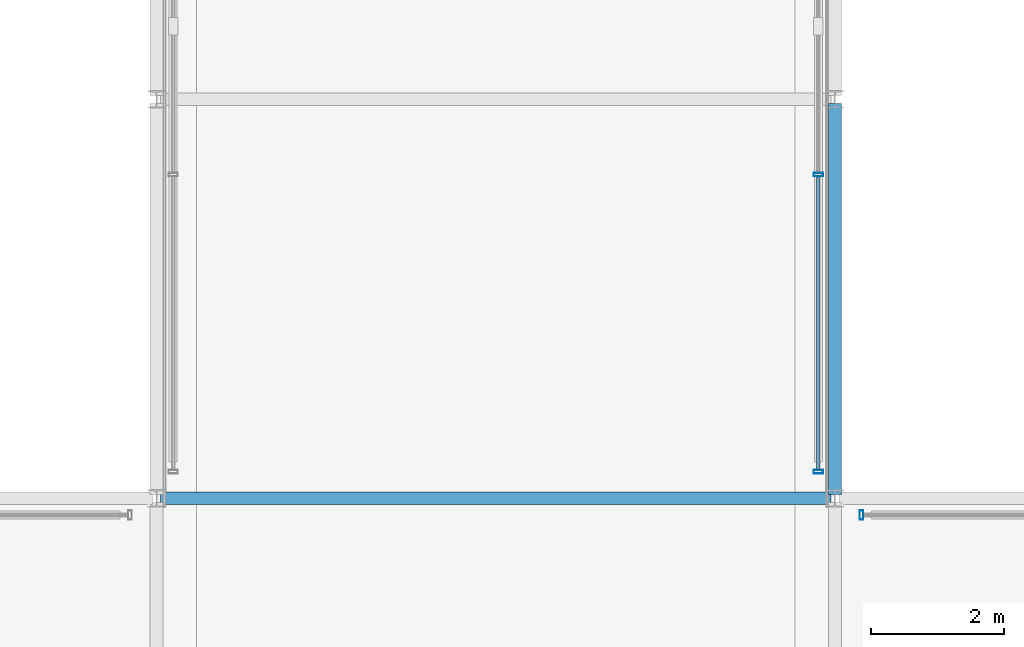
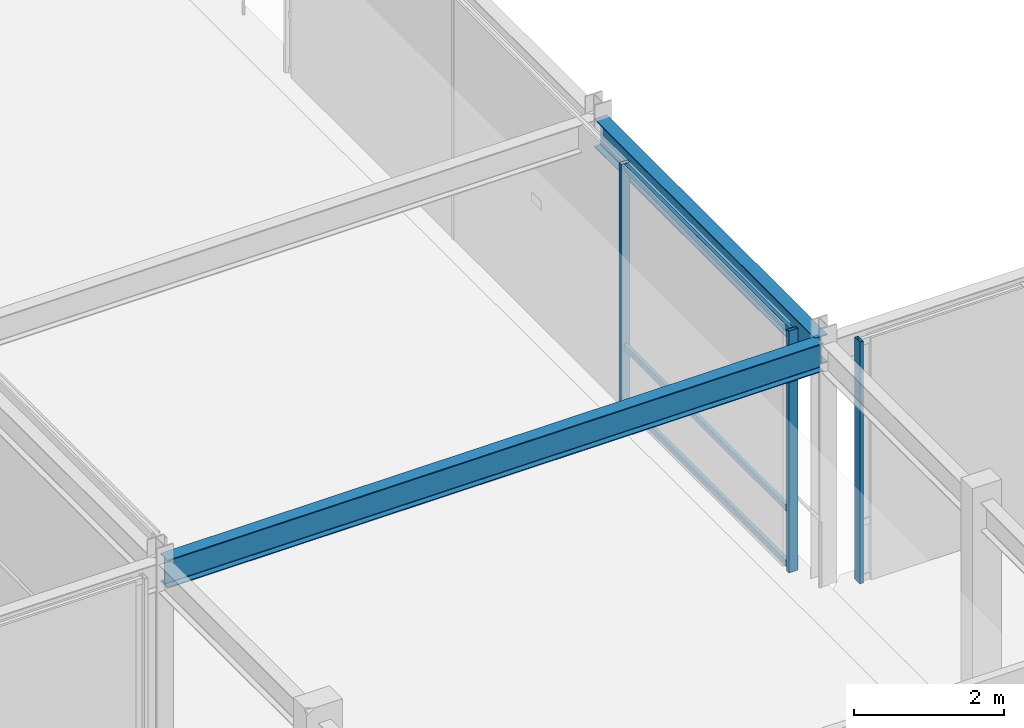
# One storey, part 32 of 152: 6 members, 2 beams, 2 elements without a shape of their own.
"""IFC4 building model written with IfcOpenShell, lengths in metres."""

from ifc_helpers import new_model, si_unit, direction, frame, origin, origin_2d, place, context, subcontext, project, spatial, hollow_rectangle, i_section, extrude, material, material_profile, profile_set, type_object, element, aggregate, save


model = new_model("IFC4")

# Units and contexts
model_context = context("Model", 3, precision=1e-05, world=origin(), true_north=direction((0.0, 1.0)))
body_context = subcontext(model_context, "Body", "Model", "MODEL_VIEW")
ifc_project = project(units=[si_unit("LENGTHUNIT", "METRE"), si_unit("AREAUNIT", "SQUARE_METRE"), si_unit("VOLUMEUNIT", "CUBIC_METRE"), si_unit("PLANEANGLEUNIT", "RADIAN"), si_unit("MASSUNIT", "GRAM", prefix="KILO"), si_unit("THERMODYNAMICTEMPERATUREUNIT", "KELVIN"), si_unit("POWERUNIT", "WATT")], contexts=[model_context])

# Site, building, storey
site_placement = place(None, origin())
site = spatial("IfcSite", under=ifc_project, at=site_placement, CompositionType="ELEMENT")
building_placement = place(site_placement, origin())
building = spatial("IfcBuilding", under=site, at=building_placement, Name="Darbajah Civic Hall", CompositionType="ELEMENT")
storey_placement = place(building_placement, frame((0.0, 0.0, 5.39990234375)))
storey = spatial("IfcBuildingStorey", under=building, at=storey_placement, Name="L01", CompositionType="ELEMENT", Elevation=5.39990234375)

# Curtain wall, member
ifc_material_1 = material(Name="Anodised Bronze Aluminium and Low-E Glazing", Category="aluminium")
curtain_wall_type_1 = type_object("IfcCurtainWallType", Name="Unitised Curtain Wall CW-103 7600x3950", PredefinedType="USERDEFINED", material=ifc_material_1)
curtain_wall_1_placement = place(storey_placement, origin())
curtain_wall_1 = element("IfcCurtainWall", 1, at=curtain_wall_1_placement, inside=storey, type_object=curtain_wall_type_1, Name="L01 unitised curtain wall CW-V6-SE-N-L01", ObjectType="UNITISED CURTAIN WALL", PredefinedType="USERDEFINED")
ifc_material_2 = material(Name="Anodised Bronze Aluminium", Category="aluminium")
ifc_material_profile_1 = material_profile(ifc_material_2, hollow_rectangle(XDim=0.054931640625, YDim=0.139892578125, WallThickness=0.003173828125, at=origin_2d()), Name="ALU MULLION 55x140")
ifc_profile_set_1 = profile_set([ifc_material_profile_1], Name="Anodised Bronze Aluminium")
member_type_1 = type_object("IfcMemberType", Name="ALU MULLION 55x140", PredefinedType="MULLION", material=ifc_profile_set_1)
member_1_placement = place(storey_placement, frame((94.60009765625, 41.75, 0.0), z_axis=(0.0, 0.0, 1.0), x_axis=(1.0, 0.0, 0.0)))
member_1 = element("IfcMember", 2, at=member_1_placement, type_object=member_type_1, Name="CW-V6-SE-N-L01 mullion 1", PredefinedType="MULLION", context=body_context, shape_type="SweptSolid", body=[
    extrude(hollow_rectangle(XDim=0.054931640625, YDim=0.139892578125, WallThickness=0.003173828125, at=origin_2d()), origin(), (0.0, 0.0, 1.0), 3.93017578125),
])
aggregate(curtain_wall_1, [member_1])

# Curtain wall, members
curtain_wall_type_2 = type_object("IfcCurtainWallType", Name="Unitised Curtain Wall CW-104 13400x3950", PredefinedType="USERDEFINED", material=ifc_material_1)
curtain_wall_2_placement = place(storey_placement, origin())
curtain_wall_2 = element("IfcCurtainWall", 3, at=curtain_wall_2_placement, inside=storey, type_object=curtain_wall_type_2, Name="L01 unitised curtain wall CW-V6-PE-L01", ObjectType="UNITISED CURTAIN WALL", PredefinedType="USERDEFINED")
member_2_placement = place(storey_placement, frame((93.949951171875, 42.39990234375, 0.0), z_axis=(0.0, 0.0, 1.0), x_axis=(0.0, 1.0, 0.0)))
member_2 = element("IfcMember", 4, at=member_2_placement, type_object=member_type_1, Name="CW-V6-PE-L01 mullion 1", PredefinedType="MULLION", context=body_context, shape_type="SweptSolid", body=[
    extrude(hollow_rectangle(XDim=0.054931640625, YDim=0.139892578125, WallThickness=0.003173828125, at=origin_2d()), origin(), (0.0, 0.0, 1.0), 3.93017578125),
])
member_3_placement = place(storey_placement, frame((93.949951171875, 46.86669921875, 0.0), z_axis=(0.0, 0.0, 1.0), x_axis=(0.0, 1.0, 0.0)))
member_3 = element("IfcMember", 5, at=member_3_placement, type_object=member_type_1, Name="CW-V6-PE-L01 mullion 2", PredefinedType="MULLION", context=body_context, shape_type="SweptSolid", body=[
    extrude(hollow_rectangle(XDim=0.054931640625, YDim=0.139892578125, WallThickness=0.003173828125, at=origin_2d()), origin(), (0.0, 0.0, 1.0), 3.93017578125),
])
ifc_material_profile_2 = material_profile(ifc_material_2, hollow_rectangle(XDim=0.054931640625, YDim=0.10009765625, WallThickness=0.0029296875, at=origin_2d()), Name="ALU TRANSOM 55x100")
ifc_profile_set_2 = profile_set([ifc_material_profile_2], Name="Anodised Bronze Aluminium")
member_type_2 = type_object("IfcMemberType", Name="ALU TRANSOM 55x100", PredefinedType="USERDEFINED", material=ifc_profile_set_2)
member_4_placement = place(storey_placement, frame((93.949951171875, 42.4326171875, 0.050048828125), z_axis=(0.0, 1.0, 0.0), x_axis=(-1.0, 0.0, 0.0)))
member_4 = element("IfcMember", 6, at=member_4_placement, type_object=member_type_2, Name="CW-V6-PE-L01 transom 1.1", ObjectType="TRANSOM", PredefinedType="USERDEFINED", context=body_context, shape_type="SweptSolid", body=[
    extrude(hollow_rectangle(XDim=0.054931640625, YDim=0.10009765625, WallThickness=0.0029296875, at=origin_2d()), origin(), (0.0, 0.0, 1.0), 4.401611328125),
])
member_5_placement = place(storey_placement, frame((93.949951171875, 42.4326171875, 0.9501953125), z_axis=(0.0, 1.0, 0.0), x_axis=(-1.0, 0.0, 0.0)))
member_5 = element("IfcMember", 7, at=member_5_placement, type_object=member_type_2, Name="CW-V6-PE-L01 transom 1.2", ObjectType="TRANSOM", PredefinedType="USERDEFINED", context=body_context, shape_type="SweptSolid", body=[
    extrude(hollow_rectangle(XDim=0.054931640625, YDim=0.10009765625, WallThickness=0.0029296875, at=origin_2d()), origin(), (0.0, 0.0, 1.0), 4.401611328125),
])
member_6_placement = place(storey_placement, frame((93.949951171875, 42.4326171875, 3.880126953125), z_axis=(0.0, 1.0, 0.0), x_axis=(-1.0, 0.0, 0.0)))
member_6 = element("IfcMember", 8, at=member_6_placement, type_object=member_type_2, Name="CW-V6-PE-L01 transom 1.3", ObjectType="TRANSOM", PredefinedType="USERDEFINED", context=body_context, shape_type="SweptSolid", body=[
    extrude(hollow_rectangle(XDim=0.054931640625, YDim=0.10009765625, WallThickness=0.0029296875, at=origin_2d()), origin(), (0.0, 0.0, 1.0), 4.401611328125),
])
aggregate(curtain_wall_2, [member_2, member_3, member_4, member_5, member_6])

# Beams
ifc_material_3 = material(Name="Steel S355JR", Category="steel")
ifc_material_profile_3 = material_profile(ifc_material_3, i_section(OverallWidth=0.1904296875, OverallDepth=0.45703125, WebThickness=0.009033203125, FlangeThickness=0.014404296875, FilletRadius=0.01025390625, at=origin_2d()), Name="UB 457x191x74")
ifc_profile_set_3 = profile_set([ifc_material_profile_3], Name="Steel S355JR")
beam_type = type_object("IfcBeamType", Name="UB 457x191x74", PredefinedType="BEAM", material=ifc_profile_set_3)
beam_1_placement = place(storey_placement, frame((84.06005859375, 42.0, 3.70166015625), z_axis=(1.0, 0.0, 0.0), x_axis=(0.0, 1.0, 0.0)))
element("IfcBeam", 9, at=beam_1_placement, inside=storey, type_object=beam_type, Name="L01 beam SB-457", PredefinedType="BEAM", context=body_context, shape_type="SweptSolid", body=[
    extrude(i_section(OverallWidth=0.1904296875, OverallDepth=0.45703125, WebThickness=0.009033203125, FlangeThickness=0.014404296875, FilletRadius=0.01025390625, at=origin_2d()), origin(), (0.0, 0.0, 1.0), 10.079833984375),
])
beam_2_placement = place(storey_placement, frame((94.199951171875, 42.06005859375, 3.70166015625), z_axis=(0.0, 1.0, 0.0), x_axis=(-1.0, 0.0, 0.0)))
element("IfcBeam", 10, at=beam_2_placement, inside=storey, type_object=beam_type, Name="L01 beam SB-457", PredefinedType="BEAM", context=body_context, shape_type="SweptSolid", body=[
    extrude(i_section(OverallWidth=0.1904296875, OverallDepth=0.45703125, WebThickness=0.009033203125, FlangeThickness=0.014404296875, FilletRadius=0.01025390625, at=origin_2d()), origin(), (0.0, 0.0, 1.0), 5.8798828125),
])

save(model, "model.ifc")
